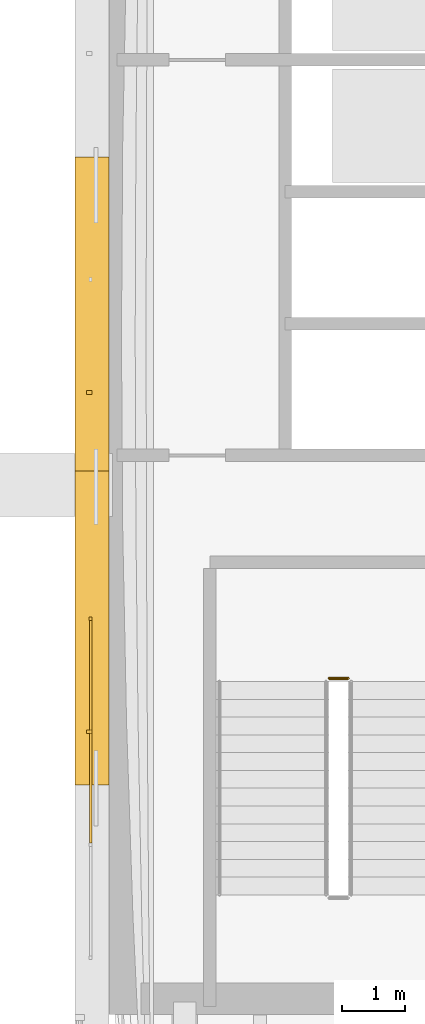
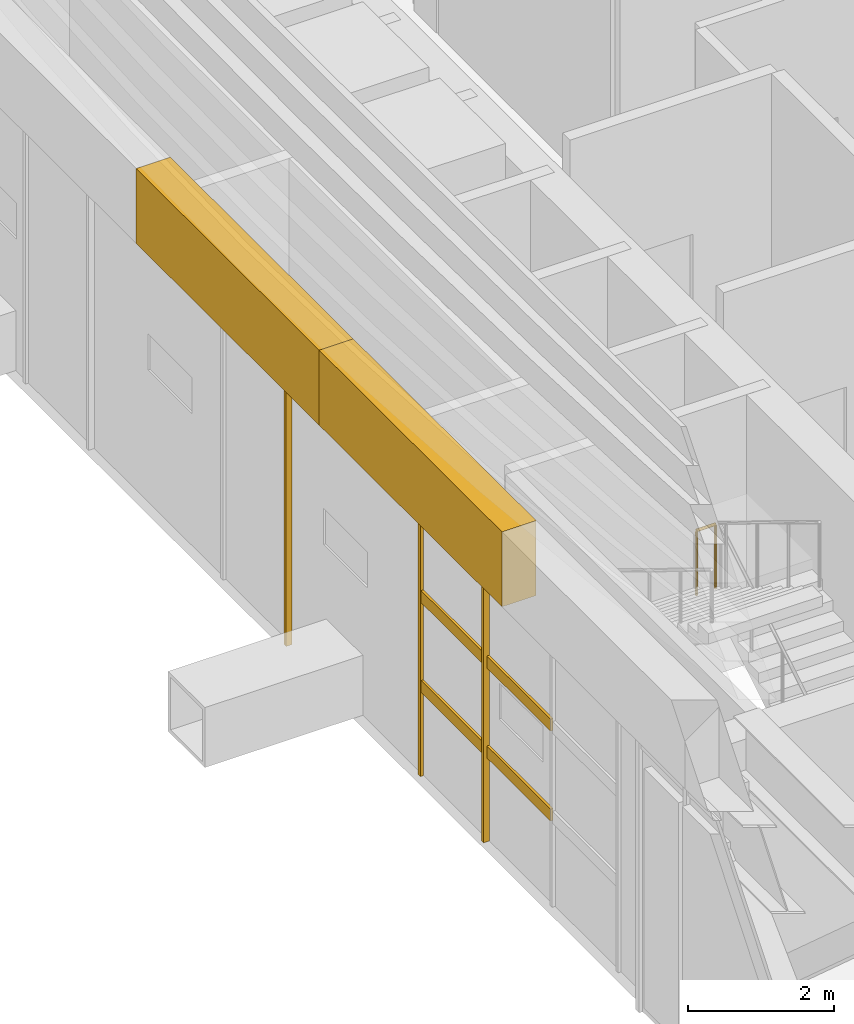
# One storey, part 19 of 29: 7 coverings, 1 railing.
"""IFC4 building model written with IfcOpenShell, lengths in metres."""

from ifc_helpers import new_model, si_unit, direction, frame, origin, origin_2d, place, context, subcontext, project, spatial, polyline, rectangle, circle, outline, extrude, material, type_object, element, save


model = new_model("IFC4")

# Units and contexts
model_context = context("Model", 3, precision=1e-05, world=origin(), true_north=direction((0.0, 1.0)))
body_context = subcontext(model_context, "Body", "Model", "MODEL_VIEW")
ifc_project = project(units=[si_unit("LENGTHUNIT", "METRE"), si_unit("AREAUNIT", "SQUARE_METRE"), si_unit("VOLUMEUNIT", "CUBIC_METRE"), si_unit("PLANEANGLEUNIT", "RADIAN"), si_unit("MASSUNIT", "GRAM", prefix="KILO")], contexts=[model_context])

# Site, building, storey
site_placement = place(None, origin())
site = spatial("IfcSite", under=ifc_project, at=site_placement, CompositionType="ELEMENT")
building_placement = place(site_placement, origin())
building = spatial("IfcBuilding", under=site, at=building_placement, Name="Cobrizo Arcos Hotel Tower", CompositionType="ELEMENT")
storey_placement = place(building_placement, frame((0.0, 0.0, 186.5)))
storey = spatial("IfcBuildingStorey", under=building, at=storey_placement, Name="L48", CompositionType="ELEMENT", Elevation=186.5)

# Coverings
ifc_material_1 = material(Name="Aluminium 6063-T6 anodised pale", Category="aluminium")
covering_type_1 = type_object("IfcCoveringType", Name="LF-1 setback skirt", PredefinedType="CLADDING", material=ifc_material_1)
covering_1_placement = place(storey_placement, frame((0.0, 0.0, 4.5)))
element("IfcCovering", 1, at=covering_1_placement, inside=storey, type_object=covering_type_1, Name="Setback skirt L48", PredefinedType="CLADDING", context=body_context, shape_type="SweptSolid", body=[
    extrude(outline(polyline([(-22.14990234375, -2.14990234375), (-22.14990234375, -7.14990234375), (-21.610107421875, -7.14990234375), (-21.610107421875, -2.14990234375), (-22.14990234375, -2.14990234375)])), origin(), (0.0, 0.0, 1.0), 1.25),
])
covering_2_placement = place(storey_placement, frame((0.0, 0.0, 4.5)))
element("IfcCovering", 2, at=covering_2_placement, inside=storey, type_object=covering_type_1, Name="Setback skirt L48", PredefinedType="CLADDING", context=body_context, shape_type="SweptSolid", body=[
    extrude(outline(polyline([(-22.14990234375, 2.85009765625), (-22.14990234375, -2.14990234375), (-21.610107421875, -2.14990234375), (-21.610107421875, 2.85009765625), (-22.14990234375, 2.85009765625)])), origin(), (0.0, 0.0, 1.0), 1.25),
])
covering_type_2 = type_object("IfcCoveringType", Name="RS-1 rainscreen rib 60x90", PredefinedType="CLADDING", material=ifc_material_1)
for number, where, z_axis, x_axis, name in (
    (3, (-21.919921875, -0.89990234375, 0.0), (0.0, 0.0, 1.0), (0.0, -1.0, 0.0), "Rainscreen rib 76"),
    (4, (-21.919921875, -6.300048828125, 0.0), (0.0, 0.0, 1.0), (0.0, -1.0, 0.0), "Rainscreen rib 78"),
):
    element("IfcCovering", number, at=place(storey_placement, frame(where, z_axis=z_axis, x_axis=x_axis)), inside=storey, type_object=covering_type_2, Name=name, PredefinedType="CLADDING", context=body_context, shape_type="SweptSolid", body=[
        extrude(rectangle(XDim=0.06005859375, YDim=0.090087890625, at=origin_2d()), origin(), (0.0, 0.0, 1.0), 4.5),
    ])
covering_type_3 = type_object("IfcCoveringType", Name="RS-2 rainscreen rib 60x50", PredefinedType="CLADDING", material=ifc_material_1)
covering_3_placement = place(storey_placement, frame((-21.89990234375, -4.5, 0.0), z_axis=(0.0, 0.0, 1.0), x_axis=(0.0, -1.0, 0.0)))
element("IfcCovering", 5, at=covering_3_placement, inside=storey, type_object=covering_type_3, Name="Rainscreen rib 77", PredefinedType="CLADDING", context=body_context, shape_type="SweptSolid", body=[
    extrude(rectangle(XDim=0.06005859375, YDim=0.050048828125, at=origin_2d()), origin(), (0.0, 0.0, 1.0), 4.5),
])
covering_type_4 = type_object("IfcCoveringType", Name="RS-3 rainscreen louvre slat 200x40", PredefinedType="CLADDING", material=ifc_material_1)
for number, where, z_axis, x_axis, name in (
    (6, (-21.89501953125, -6.300048828125, 1.39990234375), (0.0, 0.0, 1.0), (0.0, -1.0, 0.0), "Rainscreen slat 5"),
    (7, (-21.89501953125, -6.300048828125, 2.89990234375), (0.0, 0.0, 1.0), (0.0, -1.0, 0.0), "Rainscreen slat 6"),
):
    element("IfcCovering", number, at=place(storey_placement, frame(where, z_axis=z_axis, x_axis=x_axis)), inside=storey, type_object=covering_type_4, Name=name, PredefinedType="CLADDING", context=body_context, shape_type="SweptSolid", body=[
        extrude(rectangle(XDim=3.5400390625, YDim=0.0400390625, at=origin_2d()), origin(), (0.0, 0.0, 1.0), 0.199951171875),
    ])

# Railing
ifc_material_2 = material(Name="Stainless steel railing", Category="steel")
railing_type = type_object("IfcRailingType", Name="Stair guard 1100", PredefinedType="GUARDRAIL", material=ifc_material_2)
railing_placement = place(storey_placement, frame((-17.800048828125, -5.449951171875, 2.25)))
element("IfcRailing", 8, at=railing_placement, inside=storey, type_object=railing_type, Name="L48 ST-W stair guard 2", PredefinedType="GUARDRAIL", context=body_context, shape_type="SweptSolid", body=[
    extrude(circle(Radius=0.02392578125, at=origin_2d()), frame((0.0, 0.0, 1.076171875), z_axis=(-1.0, 0.0, 0.0), x_axis=(0.0, -1.0, 0.0)), (0.0, 0.0, 1.0), 0.300048828125),
    extrude(circle(Radius=0.02099609375, at=origin_2d()), origin(), (0.0, 0.0, 1.0), 1.052001953125),
    extrude(circle(Radius=0.02099609375, at=origin_2d()), frame((-0.300048828125, 0.0, 0.0)), (0.0, 0.0, 1.0), 1.052001953125),
])

save(model, "model.ifc")
